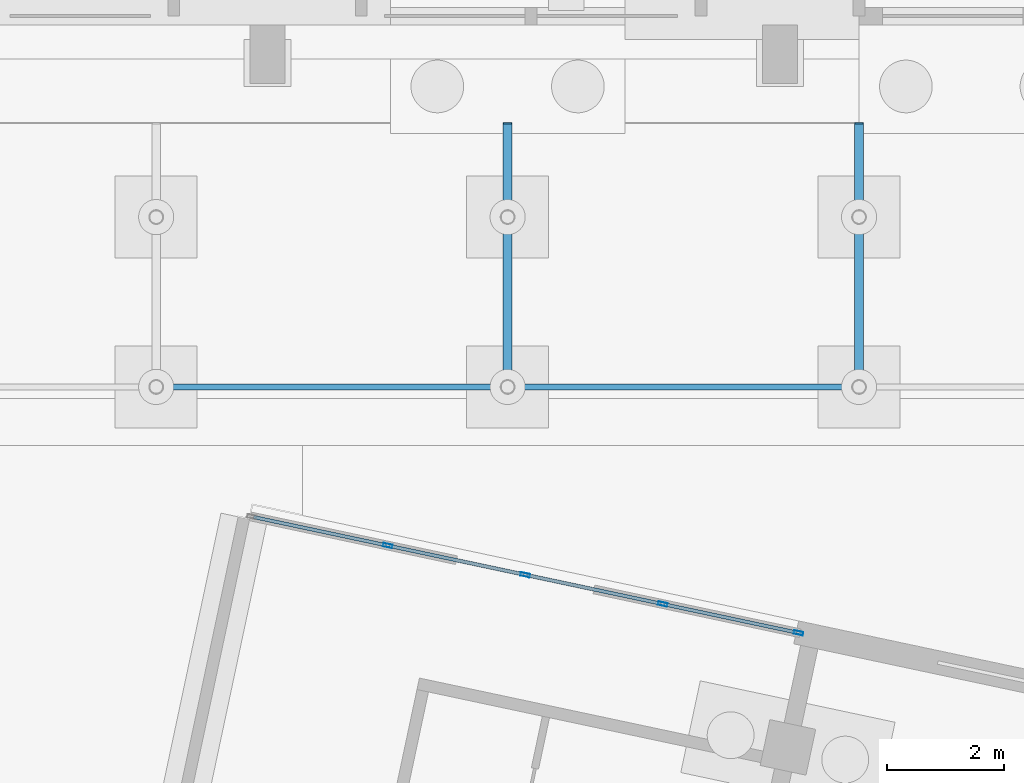
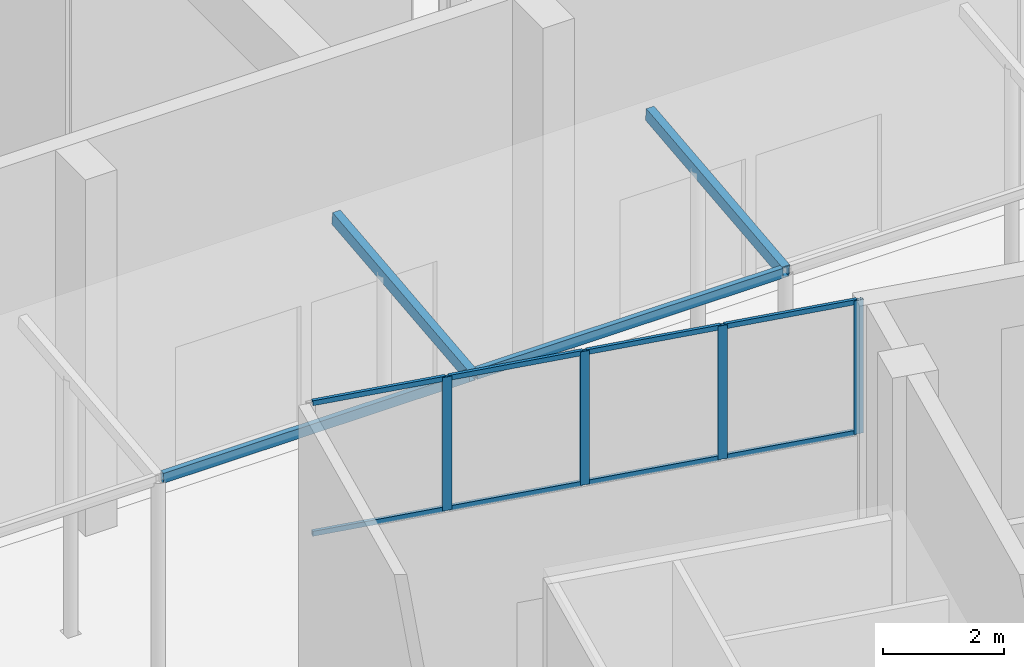
# One storey, part 130 of 239: 12 members, 4 beams, 1 element without a shape of its own.
"""IFC4 building model written with IfcOpenShell, lengths in metres."""

from ifc_helpers import new_model, si_unit, direction, frame, origin, origin_2d, place, context, subcontext, project, spatial, hollow_rectangle, extrude, material, material_profile, profile_set, type_object, element, aggregate, save


model = new_model("IFC4")

# Units and contexts
model_context = context("Model", 3, precision=1e-05, world=origin(), true_north=direction((0.0, 1.0)))
body_context = subcontext(model_context, "Body", "Model", "MODEL_VIEW")
ifc_project = project(units=[si_unit("LENGTHUNIT", "METRE"), si_unit("AREAUNIT", "SQUARE_METRE"), si_unit("VOLUMEUNIT", "CUBIC_METRE"), si_unit("PLANEANGLEUNIT", "RADIAN"), si_unit("MASSUNIT", "GRAM", prefix="KILO")], contexts=[model_context])

# Site, building, storey
site_placement = place(None, origin())
site = spatial("IfcSite", under=ifc_project, at=site_placement, CompositionType="ELEMENT")
building_placement = place(site_placement, origin())
building = spatial("IfcBuilding", under=site, at=building_placement, Name="Okhra Congress Centre", CompositionType="ELEMENT")
storey_placement = place(building_placement, origin())
storey = spatial("IfcBuildingStorey", under=building, at=storey_placement, Name="L00", CompositionType="ELEMENT", Elevation=0.0)

# Curtain wall, members
ifc_material_1 = material(Name="Aluminium curtain wall, triple glazing", Category="aluminium")
curtain_wall_type = type_object("IfcCurtainWallType", Name="Curtain wall 2400 module", PredefinedType="NOTDEFINED", material=ifc_material_1)
curtain_wall_placement = place(storey_placement, origin())
curtain_wall = element("IfcCurtainWall", 1, at=curtain_wall_placement, inside=storey, type_object=curtain_wall_type, Name="Foyer north glazing above the doors", PredefinedType="NOTDEFINED")
ifc_material_2 = material(Name="Aluminium alloy EN AW-6063 T66", Category="aluminium")
ifc_material_profile_1 = material_profile(ifc_material_2, hollow_rectangle(XDim=0.06005859375, YDim=0.159912109375, WallThickness=0.00390625, at=origin_2d()), Name="RHS 60x160x4")
ifc_profile_set_1 = profile_set([ifc_material_profile_1], Name="Aluminium alloy EN AW-6063 T66")
member_type_1 = type_object("IfcMemberType", Name="Curtain wall mullion 60x160", PredefinedType="MULLION", material=ifc_profile_set_1)
member_1_placement = place(storey_placement, frame((201.953125, 140.69140625, 4.5), z_axis=(0.0, 0.0, 1.0), x_axis=(0.207911690818, 0.978147600734, 0.0)))
member_1 = element("IfcMember", 2, at=member_1_placement, type_object=member_type_1, Name="CW6 mullion 2", PredefinedType="MULLION", context=body_context, shape_type="SweptSolid", body=[
    extrude(hollow_rectangle(XDim=0.06005859375, YDim=0.159912109375, WallThickness=0.00390625, at=origin_2d()), origin(), (0.0, 0.0, 1.0), 2.699951171875),
])
member_2_placement = place(storey_placement, frame((204.300537109375, 140.1923828125, 4.5), z_axis=(0.0, 0.0, 1.0), x_axis=(0.207911690818, 0.978147600734, 0.0)))
member_2 = element("IfcMember", 3, at=member_2_placement, type_object=member_type_1, Name="CW6 mullion 3", PredefinedType="MULLION", context=body_context, shape_type="SweptSolid", body=[
    extrude(hollow_rectangle(XDim=0.06005859375, YDim=0.159912109375, WallThickness=0.00390625, at=origin_2d()), origin(), (0.0, 0.0, 1.0), 2.699951171875),
])
member_3_placement = place(storey_placement, frame((206.648193359375, 139.693359375, 4.5), z_axis=(0.0, 0.0, 1.0), x_axis=(0.207911690818, 0.978147600734, 0.0)))
member_3 = element("IfcMember", 4, at=member_3_placement, type_object=member_type_1, Name="CW6 mullion 4", PredefinedType="MULLION", context=body_context, shape_type="SweptSolid", body=[
    extrude(hollow_rectangle(XDim=0.06005859375, YDim=0.159912109375, WallThickness=0.00390625, at=origin_2d()), origin(), (0.0, 0.0, 1.0), 2.699951171875),
])
member_4_placement = place(storey_placement, frame((208.96630859375, 139.20068359375, 4.5), z_axis=(0.0, 0.0, 1.0), x_axis=(0.207911690818, 0.978147600734, 0.0)))
member_4 = element("IfcMember", 5, at=member_4_placement, type_object=member_type_1, Name="CW6 mullion 5", PredefinedType="MULLION", context=body_context, shape_type="SweptSolid", body=[
    extrude(hollow_rectangle(XDim=0.06005859375, YDim=0.159912109375, WallThickness=0.00390625, at=origin_2d()), origin(), (0.0, 0.0, 1.0), 2.699951171875),
])
ifc_material_profile_2 = material_profile(ifc_material_2, hollow_rectangle(XDim=0.06005859375, YDim=0.10009765625, WallThickness=0.00390625, at=origin_2d()), Name="RHS 60x100x4")
ifc_profile_set_2 = profile_set([ifc_material_profile_2], Name="Aluminium alloy EN AW-6063 T66")
member_type_2 = type_object("IfcMemberType", Name="Curtain wall transom 60x100", PredefinedType="USERDEFINED", material=ifc_profile_set_2)
member_5_placement = place(storey_placement, frame((199.664306640625, 141.177978515625, 4.530029296875), z_axis=(0.978152135226, -0.207890356563, 0.0), x_axis=(0.207890356563, 0.978152135226, 0.0)))
member_5 = element("IfcMember", 6, at=member_5_placement, type_object=member_type_2, Name="CW6 transom 1.1", ObjectType="TRANSOM", PredefinedType="USERDEFINED", context=body_context, shape_type="SweptSolid", body=[
    extrude(hollow_rectangle(XDim=0.06005859375, YDim=0.10009765625, WallThickness=0.00390625, at=origin_2d()), origin(), (0.0, 0.0, 1.0), 2.31005859375),
])
member_6_placement = place(storey_placement, frame((199.664306640625, 141.177978515625, 7.169921875), z_axis=(0.978152135226, -0.207890356563, 0.0), x_axis=(0.207890356563, 0.978152135226, 0.0)))
member_6 = element("IfcMember", 7, at=member_6_placement, type_object=member_type_2, Name="CW6 transom 1.2", ObjectType="TRANSOM", PredefinedType="USERDEFINED", context=body_context, shape_type="SweptSolid", body=[
    extrude(hollow_rectangle(XDim=0.06005859375, YDim=0.10009765625, WallThickness=0.00390625, at=origin_2d()), origin(), (0.0, 0.0, 1.0), 2.31005859375),
])
member_7_placement = place(storey_placement, frame((201.982421875, 140.685302734375, 4.530029296875), z_axis=(0.978141611751, -0.20793986477, 0.0), x_axis=(0.20793986477, 0.978141611751, 0.0)))
member_7 = element("IfcMember", 8, at=member_7_placement, type_object=member_type_2, Name="CW6 transom 2.1", ObjectType="TRANSOM", PredefinedType="USERDEFINED", context=body_context, shape_type="SweptSolid", body=[
    extrude(hollow_rectangle(XDim=0.06005859375, YDim=0.10009765625, WallThickness=0.00390625, at=origin_2d()), origin(), (0.0, 0.0, 1.0), 2.340087890625),
])
member_8_placement = place(storey_placement, frame((201.982421875, 140.685302734375, 7.169921875), z_axis=(0.978141611751, -0.20793986477, 0.0), x_axis=(0.20793986477, 0.978141611751, 0.0)))
member_8 = element("IfcMember", 9, at=member_8_placement, type_object=member_type_2, Name="CW6 transom 2.2", ObjectType="TRANSOM", PredefinedType="USERDEFINED", context=body_context, shape_type="SweptSolid", body=[
    extrude(hollow_rectangle(XDim=0.06005859375, YDim=0.10009765625, WallThickness=0.00390625, at=origin_2d()), origin(), (0.0, 0.0, 1.0), 2.340087890625),
])
member_9_placement = place(storey_placement, frame((204.330078125, 140.186279296875, 4.530029296875), z_axis=(0.978141611751, -0.20793986477, 0.0), x_axis=(0.20793986477, 0.978141611751, 0.0)))
member_9 = element("IfcMember", 10, at=member_9_placement, type_object=member_type_2, Name="CW6 transom 3.1", ObjectType="TRANSOM", PredefinedType="USERDEFINED", context=body_context, shape_type="SweptSolid", body=[
    extrude(hollow_rectangle(XDim=0.06005859375, YDim=0.10009765625, WallThickness=0.00390625, at=origin_2d()), origin(), (0.0, 0.0, 1.0), 2.340087890625),
])
member_10_placement = place(storey_placement, frame((204.330078125, 140.186279296875, 7.169921875), z_axis=(0.978141611751, -0.20793986477, 0.0), x_axis=(0.20793986477, 0.978141611751, 0.0)))
member_10 = element("IfcMember", 11, at=member_10_placement, type_object=member_type_2, Name="CW6 transom 3.2", ObjectType="TRANSOM", PredefinedType="USERDEFINED", context=body_context, shape_type="SweptSolid", body=[
    extrude(hollow_rectangle(XDim=0.06005859375, YDim=0.10009765625, WallThickness=0.00390625, at=origin_2d()), origin(), (0.0, 0.0, 1.0), 2.340087890625),
])
member_11_placement = place(storey_placement, frame((206.677490234375, 139.687255859375, 4.530029296875), z_axis=(0.978152135226, -0.207890356563, 0.0), x_axis=(0.207890356563, 0.978152135226, 0.0)))
member_11 = element("IfcMember", 12, at=member_11_placement, type_object=member_type_2, Name="CW6 transom 4.1", ObjectType="TRANSOM", PredefinedType="USERDEFINED", context=body_context, shape_type="SweptSolid", body=[
    extrude(hollow_rectangle(XDim=0.06005859375, YDim=0.10009765625, WallThickness=0.00390625, at=origin_2d()), origin(), (0.0, 0.0, 1.0), 2.31005859375),
])
member_12_placement = place(storey_placement, frame((206.677490234375, 139.687255859375, 7.169921875), z_axis=(0.978152135226, -0.207890356563, 0.0), x_axis=(0.207890356563, 0.978152135226, 0.0)))
member_12 = element("IfcMember", 13, at=member_12_placement, type_object=member_type_2, Name="CW6 transom 4.2", ObjectType="TRANSOM", PredefinedType="USERDEFINED", context=body_context, shape_type="SweptSolid", body=[
    extrude(hollow_rectangle(XDim=0.06005859375, YDim=0.10009765625, WallThickness=0.00390625, at=origin_2d()), origin(), (0.0, 0.0, 1.0), 2.31005859375),
])
aggregate(curtain_wall, [member_1, member_2, member_3, member_4, member_5, member_6, member_7, member_8, member_9, member_10, member_11, member_12])

# Beams
ifc_material_3 = material(Name="Steel S355J2", Category="steel")
ifc_material_profile_3 = material_profile(ifc_material_3, hollow_rectangle(XDim=0.14990234375, YDim=0.25, WallThickness=0.008056640625, at=origin_2d()), Name="RHS 250x150x8")
ifc_profile_set_3 = profile_set([ifc_material_profile_3], Name="Steel S355J2")
beam_type_1 = type_object("IfcBeamType", Name="Steel canopy beam RHS 250x150x8", PredefinedType="BEAM", material=ifc_profile_set_3)
for number, where, z_axis, x_axis, name in (
    (14, (204.0, 143.39990234375, 4.84619140625), (0.0, 0.99438806793, 0.105793999632), (-1.0, 0.0, 0.0), "Drop-off canopy beam 3"),
    (15, (210.0, 143.39990234375, 4.84619140625), (0.0, 0.99438806793, 0.105793999632), (-1.0, 0.0, 0.0), "Drop-off canopy beam 4"),
):
    element("IfcBeam", number, at=place(storey_placement, frame(where, z_axis=z_axis, x_axis=x_axis)), inside=storey, type_object=beam_type_1, Name=name, PredefinedType="BEAM", context=body_context, shape_type="SweptSolid", body=[
        extrude(hollow_rectangle(XDim=0.14990234375, YDim=0.25, WallThickness=0.008056640625, at=origin_2d()), origin(), (0.0, 0.0, 1.0), 4.525390625),
    ])
ifc_material_profile_4 = material_profile(ifc_material_3, hollow_rectangle(XDim=0.10009765625, YDim=0.199951171875, WallThickness=0.006103515625, at=origin_2d()), Name="RHS 200x100x6")
ifc_profile_set_4 = profile_set([ifc_material_profile_4], Name="Steel S355J2")
beam_type_2 = type_object("IfcBeamType", Name="Steel canopy edge beam RHS 200x100x6", PredefinedType="BEAM", material=ifc_profile_set_4)
for number, where, z_axis, x_axis, name in (
    (16, (198.074951171875, 143.39990234375, 4.871337890625), (1.0, 0.0, 0.0), (0.0, 1.0, 0.0), "Drop-off canopy edge beam 2"),
    (17, (204.074951171875, 143.39990234375, 4.871337890625), (1.0, 0.0, 0.0), (0.0, 1.0, 0.0), "Drop-off canopy edge beam 3"),
):
    element("IfcBeam", number, at=place(storey_placement, frame(where, z_axis=z_axis, x_axis=x_axis)), inside=storey, type_object=beam_type_2, Name=name, PredefinedType="BEAM", context=body_context, shape_type="SweptSolid", body=[
        extrude(hollow_rectangle(XDim=0.10009765625, YDim=0.199951171875, WallThickness=0.006103515625, at=origin_2d()), origin(), (0.0, 0.0, 1.0), 5.85009765625),
    ])

save(model, "model.ifc")
